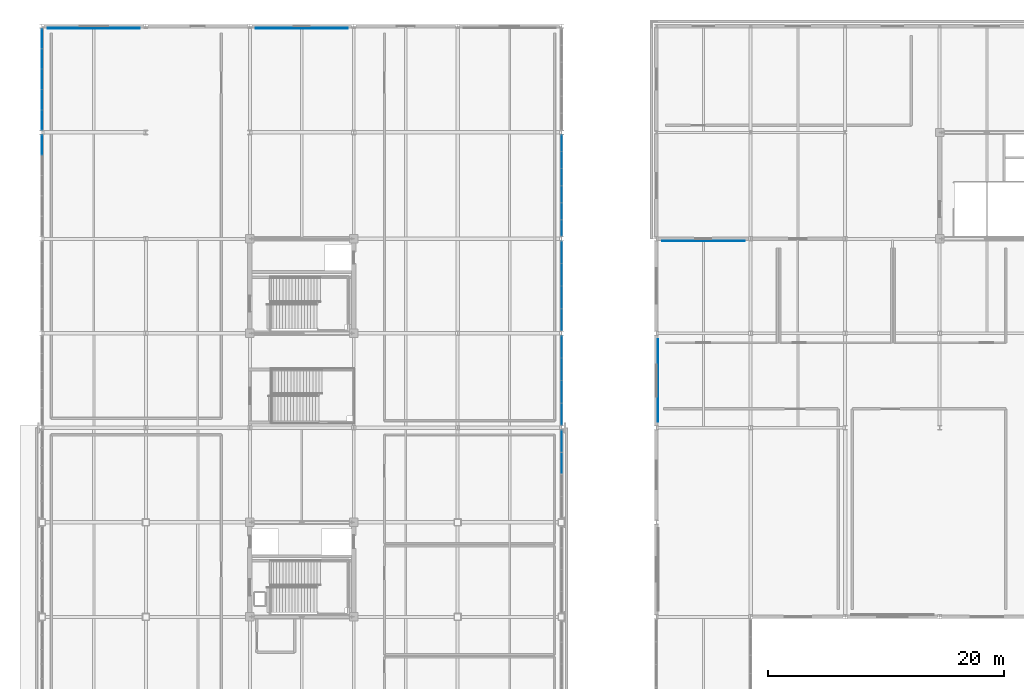
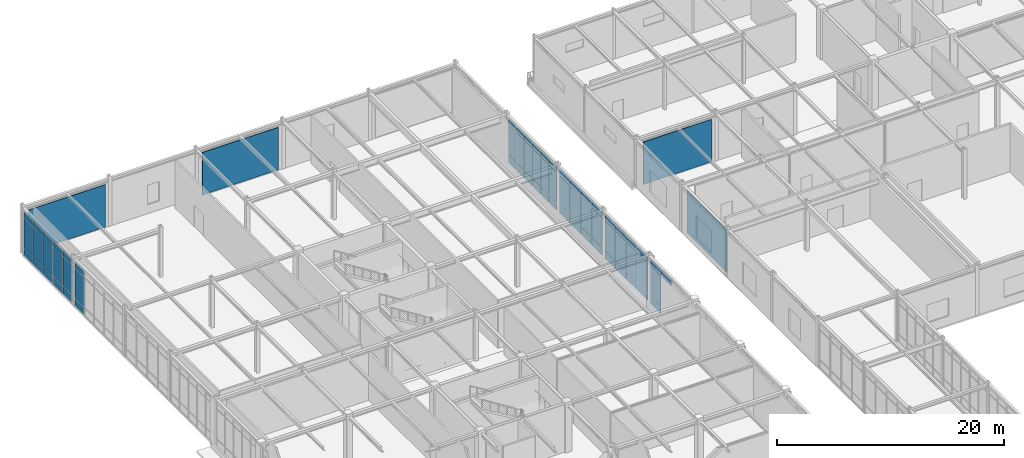
# One storey, part 65 of 108: 68 plates, 6 elements without a shape of their own.
"""IFC4 building model written with IfcOpenShell, lengths in metres."""

import ifcopenshell
import ifcopenshell.guid

model = None  # the IFC model being written
_history = None  # IfcOwnerHistory: only IFC2X3 demands one
_inside = {}  # id of a spatial element -> (the spatial element, [elements in it])
_under = {}  # id of a project, library or spatial element -> (it, [spatial elements below it])
_declared = {}  # id of a project -> (the project, [libraries it declares])
_typed = {}  # id of a type object -> (the type object, [elements of that type])
_made_of = {}  # id of a material, layer set ... -> (it, [elements and type objects made of it])


def new_model(schema):
    """Start an empty IFC model of exactly this schema.

    Asked for "IFC4X3", IfcOpenShell would pick the latest addendum, in which some entities
    have other attributes; the version numbers below select the first issue.
    IFC2X3 requires an IfcOwnerHistory on every rooted entity: one is made here for all.
    """
    global model, _history
    if schema == "IFC4X3":
        model = ifcopenshell.file(schema_version=(4, 3, 0, 0))
    else:
        model = ifcopenshell.file(schema=schema)
    _inside.clear()
    _under.clear()
    _declared.clear()
    _typed.clear()
    _made_of.clear()
    _history = None
    if model.schema == "IFC2X3":
        org = make("IfcOrganization", Name="unknown")
        user = make(
            "IfcPersonAndOrganization",
            ThePerson=make("IfcPerson", FamilyName="unknown"),
            TheOrganization=org,
        )
        app = make(
            "IfcApplication",
            ApplicationDeveloper=org,
            Version="unknown",
            ApplicationFullName="unknown",
            ApplicationIdentifier="unknown",
        )
        _history = make(
            "IfcOwnerHistory",
            OwningUser=user,
            OwningApplication=app,
            ChangeAction="ADDED",
            CreationDate=0,
        )
    return model


def make(cls, **values):
    """One entity of the class cls with the attributes given. An attribute that is None is left unset."""
    return model.create_entity(
        cls, **{name: value for name, value in values.items() if value is not None}
    )


def rooted(cls, **values):
    """An entity with a GlobalId (a new one), such as an element, a storey or a relation."""
    return make(cls, GlobalId=ifcopenshell.guid.new(), OwnerHistory=_history, **values)


def si_unit(unit_type, name, prefix=None):
    """IfcSIUnit, for example si_unit("LENGTHUNIT", "METRE", prefix="MILLI")."""
    return make("IfcSIUnit", UnitType=unit_type, Prefix=prefix, Name=name)


def assignment(units):
    """IfcUnitAssignment: the units of a project."""
    return None if units is None else make("IfcUnitAssignment", Units=units)


def point(xyz):
    """IfcCartesianPoint."""
    return None if xyz is None else make("IfcCartesianPoint", Coordinates=xyz)


def direction(xyz):
    """IfcDirection."""
    return None if xyz is None else make("IfcDirection", DirectionRatios=xyz)


def frame(location, z_axis=None, x_axis=None):
    """IfcAxis2Placement3D, a coordinate frame: its origin and axes. An axis left out is left unset."""
    return make(
        "IfcAxis2Placement3D",
        Location=point(location),
        Axis=direction(z_axis),
        RefDirection=direction(x_axis),
    )


def frame_2d(location, x_axis=None):
    """IfcAxis2Placement2D, a coordinate frame in the plane: its origin and x axis."""
    return make(
        "IfcAxis2Placement2D", Location=point(location), RefDirection=direction(x_axis)
    )


def origin():
    """The frame at (0, 0, 0) with its axes left unset."""
    return frame((0.0, 0.0, 0.0))


def origin_2d():
    """The frame at (0, 0) in the plane with its x axis left unset."""
    return frame_2d((0.0, 0.0))


def place(relative_to, where):
    """IfcLocalPlacement: puts the frame where relative to a parent placement (None: the world)."""
    return make(
        "IfcLocalPlacement", PlacementRelTo=relative_to, RelativePlacement=where
    )


def context(
    kind, dimensions, precision=None, world=None, true_north=None, identifier=None
):
    """IfcGeometricRepresentationContext, for example the 3D "Model" context."""
    return make(
        "IfcGeometricRepresentationContext",
        ContextIdentifier=identifier,
        ContextType=kind,
        CoordinateSpaceDimension=dimensions,
        Precision=precision,
        WorldCoordinateSystem=world,
        TrueNorth=true_north,
    )


def subcontext(parent, identifier, kind, view, scale=None):
    """IfcGeometricRepresentationSubContext, for example "Body" below "Model"."""
    return make(
        "IfcGeometricRepresentationSubContext",
        ContextIdentifier=identifier,
        ContextType=kind,
        ParentContext=parent,
        TargetScale=scale,
        TargetView=view,
    )


def project(units=None, contexts=None):
    """IfcProject with its units and contexts."""
    return rooted(
        "IfcProject",
        Name="project",
        RepresentationContexts=contexts,
        UnitsInContext=assignment(units),
    )


def spatial(cls, under=None, at=None, **own):
    """A site, building, storey or space (cls), placed at a placement, below another one or the project."""
    s = rooted(cls, ObjectPlacement=at, **own)
    if under is not None:
        _under.setdefault(under.id(), (under, []))[1].append(s)
    return s


def profile(cls, at=None, kind="AREA", **sizes):
    """A parametric profile (cls). Its sizes go by their IFC names, for example OverallWidth=200.0."""
    return make(cls, ProfileType=kind, Position=at, **sizes)


def rectangle(**sizes):
    """IfcRectangleProfileDef."""
    return profile("IfcRectangleProfileDef", **sizes)


def extrude(swept, where, along, depth):
    """IfcExtrudedAreaSolid: the profile swept, set in the frame where, extruded along a direction by depth."""
    return make(
        "IfcExtrudedAreaSolid",
        SweptArea=swept,
        Position=where,
        ExtrudedDirection=direction(along),
        Depth=depth,
    )


def shape(context_of_items, identifier, shape_type, items):
    """IfcShapeRepresentation: the items that make up one representation, for example the "Body"."""
    return make(
        "IfcShapeRepresentation",
        ContextOfItems=context_of_items,
        RepresentationIdentifier=identifier,
        RepresentationType=shape_type,
        Items=items,
    )


def material(Name=None, Category=None):
    """IfcMaterial."""
    return make("IfcMaterial", Name=Name, Category=Category)


def layer(
    of_material, thickness, ventilated=None, Name=None, Category=None, Priority=None
):
    """IfcMaterialLayer: one layer of a wall or slab, of a material (None: an air gap)."""
    return make(
        "IfcMaterialLayer",
        Material=of_material,
        LayerThickness=thickness,
        IsVentilated=ventilated,
        Name=Name,
        Category=Category,
        Priority=Priority,
    )


def layer_set(layers, Name=None):
    """IfcMaterialLayerSet."""
    return make("IfcMaterialLayerSet", MaterialLayers=layers, LayerSetName=Name)


def made_of(thing, what):
    """Note that an element or type object is made of a material, layer set ...; save() writes the relation."""
    if what is not None:
        _made_of.setdefault(what.id(), (what, []))[1].append(thing)
    return thing


def type_object(cls, material=None, **own):
    """A type object (cls), such as IfcWallType, which elements share."""
    return made_of(rooted(cls, **own), material)


def element(
    cls,
    number,
    at=None,
    inside=None,
    cuts=None,
    type_object=None,
    material=None,
    context=None,
    identifier="Body",
    shape_type=None,
    held_by="IfcProductDefinitionShape",
    body=None,
    shapes=None,
    **own,
):
    """One element of the class cls, such as IfcWall. Its Tag is "e" and its number.

    at: its placement. inside: the storey or other place that contains it. cuts: it is an
    opening in that element (IfcRelVoidsElement). A single representation is given by context,
    identifier, shape_type and body (its items); several are given by shapes. held_by: the class
    of the entity that holds the representations. save() writes the other relations.
    """
    e = rooted(cls, Tag="e%d" % number, ObjectPlacement=at, **own)
    if body is not None:
        shapes = [shape(context, identifier, shape_type, body)]
    if shapes is not None:
        e.Representation = make(held_by, Representations=shapes)
    if inside is not None:
        _inside.setdefault(inside.id(), (inside, []))[1].append(e)
    if cuts is not None:
        rooted(
            "IfcRelVoidsElement", RelatingBuildingElement=cuts, RelatedOpeningElement=e
        )
    if type_object is not None:
        _typed.setdefault(type_object.id(), (type_object, []))[1].append(e)
    return made_of(e, material)


def aggregate(whole, parts):
    """IfcRelAggregates: a whole, such as a stair, and the parts it consists of."""
    return rooted("IfcRelAggregates", RelatingObject=whole, RelatedObjects=parts)


def save(model, path):
    """Write the relations noted so far, then the file.

    IfcRelAggregates (storeys below a building ...), IfcRelContainedInSpatialStructure (elements
    in a storey), IfcRelDefinesByType, IfcRelAssociatesMaterial and IfcRelDeclares: one each for
    every whole, place, type object, material and project.
    """
    for whole, parts in _under.values():
        aggregate(whole, parts)
    for where, things in _inside.values():
        rooted(
            "IfcRelContainedInSpatialStructure",
            RelatedElements=things,
            RelatingStructure=where,
        )
    for kind, things in _typed.values():
        rooted("IfcRelDefinesByType", RelatedObjects=things, RelatingType=kind)
    for what, things in _made_of.values():
        rooted("IfcRelAssociatesMaterial", RelatedObjects=things, RelatingMaterial=what)
    for by, libraries in _declared.values():
        rooted("IfcRelDeclares", RelatingContext=by, RelatedDefinitions=libraries)
    model.write(path)


model = new_model("IFC4")

# Units and contexts
model_context = context("Model", 3, precision=1e-05, world=origin(), true_north=direction((0.0, 1.0)))
body_context = subcontext(model_context, "Body", "Model", "MODEL_VIEW")
ifc_project = project(units=[si_unit("LENGTHUNIT", "METRE"), si_unit("AREAUNIT", "SQUARE_METRE"), si_unit("VOLUMEUNIT", "CUBIC_METRE"), si_unit("PLANEANGLEUNIT", "RADIAN"), si_unit("MASSUNIT", "GRAM", prefix="KILO")], contexts=[model_context])

# Site, building, storey
site_placement = place(None, origin())
site = spatial("IfcSite", under=ifc_project, at=site_placement, CompositionType="ELEMENT")
building_placement = place(site_placement, origin())
building = spatial("IfcBuilding", under=site, at=building_placement, Name="Zhaolan Boulevard Law Courts", CompositionType="ELEMENT")
storey_placement = place(building_placement, frame((0.0, 0.0, 10.800048828125)))
storey = spatial("IfcBuildingStorey", under=building, at=storey_placement, Name="L02", CompositionType="ELEMENT", Elevation=10.800048828125)

# Curtain wall, plates
ifc_material_1 = material(Name="Thermally broken aluminium and low-E glazing", Category="aluminium")
curtain_wall_type_1 = type_object("IfcCurtainWallType", Name="CURTAIN WALL M21", PredefinedType="USERDEFINED", material=ifc_material_1)
curtain_wall_1_placement = place(storey_placement, origin())
curtain_wall_1 = element("IfcCurtainWall", 1, at=curtain_wall_1_placement, inside=storey, type_object=curtain_wall_type_1, Name="Curtain Wall CW-L02-117", ObjectType="CURTAIN WALL", PredefinedType="USERDEFINED")
ifc_material_2 = material(Name="Triple-silver low-E insulated glazing", Category="glass")
ifc_layer_1 = layer(ifc_material_2, 0.028076171875)
ifc_layer_set_1 = layer_set([ifc_layer_1])
plate_type_1 = type_object("IfcPlateType", Name="CWPANEL LOW E28", PredefinedType="CURTAIN_PANEL", material=ifc_layer_set_1)
plate_1_placement = place(storey_placement, frame((0.0, 101.942138671875, 0.06494140625), z_axis=(0.0, 0.0, 1.0), x_axis=(0.0, -1.0, 0.0)))
plate_1 = element("IfcPlate", 2, at=plate_1_placement, type_object=plate_type_1, Name="CW-L02-117 panel 1.1", PredefinedType="CURTAIN_PANEL", context=body_context, shape_type="SweptSolid", body=[
    extrude(rectangle(XDim=1.631591796875, YDim=0.028076171875, at=origin_2d()), origin(), (0.0, 0.0, 1.0), 0.802490234375),
])
plate_2_placement = place(storey_placement, frame((0.0, 101.942138671875, 0.932373046875), z_axis=(0.0, 0.0, 1.0), x_axis=(0.0, -1.0, 0.0)))
plate_2 = element("IfcPlate", 3, at=plate_2_placement, type_object=plate_type_1, Name="CW-L02-117 panel 1.2", PredefinedType="CURTAIN_PANEL", context=body_context, shape_type="SweptSolid", body=[
    extrude(rectangle(XDim=1.631591796875, YDim=0.028076171875, at=origin_2d()), origin(), (0.0, 0.0, 1.0), 3.14794921875),
])
plate_3_placement = place(storey_placement, frame((0.0, 101.942138671875, 4.1455078125), z_axis=(0.0, 0.0, 1.0), x_axis=(0.0, -1.0, 0.0)))
plate_3 = element("IfcPlate", 4, at=plate_3_placement, type_object=plate_type_1, Name="CW-L02-117 panel 1.3", PredefinedType="CURTAIN_PANEL", context=body_context, shape_type="SweptSolid", body=[
    extrude(rectangle(XDim=1.631591796875, YDim=0.028076171875, at=origin_2d()), origin(), (0.0, 0.0, 1.0), 0.552490234375),
])
aggregate(curtain_wall_1, [plate_1, plate_2, plate_3])

ifc_material_3 = material(Name="Thermally broken aluminium and low-E glazing", Category="aluminium")
curtain_wall_type_2 = type_object("IfcCurtainWallType", Name="CURTAIN WALL M22", PredefinedType="USERDEFINED", material=ifc_material_3)
curtain_wall_2_placement = place(storey_placement, origin())
curtain_wall_2 = element("IfcCurtainWall", 5, at=curtain_wall_2_placement, inside=storey, type_object=curtain_wall_type_2, Name="Curtain Wall CW-L02-118", ObjectType="CURTAIN WALL", PredefinedType="USERDEFINED")
plate_4_placement = place(storey_placement, frame((0.0, 110.942138671875, 0.06494140625), z_axis=(0.0, 0.0, 1.0), x_axis=(0.0, -1.0, 0.0)))
plate_4 = element("IfcPlate", 6, at=plate_4_placement, type_object=plate_type_1, Name="CW-L02-118 panel 1.1", PredefinedType="CURTAIN_PANEL", context=body_context, shape_type="SweptSolid", body=[
    extrude(rectangle(XDim=1.631591796875, YDim=0.028076171875, at=origin_2d()), origin(), (0.0, 0.0, 1.0), 0.802490234375),
])
plate_5_placement = place(storey_placement, frame((0.0, 110.942138671875, 0.932373046875), z_axis=(0.0, 0.0, 1.0), x_axis=(0.0, -1.0, 0.0)))
plate_5 = element("IfcPlate", 7, at=plate_5_placement, type_object=plate_type_1, Name="CW-L02-118 panel 1.2", PredefinedType="CURTAIN_PANEL", context=body_context, shape_type="SweptSolid", body=[
    extrude(rectangle(XDim=1.631591796875, YDim=0.028076171875, at=origin_2d()), origin(), (0.0, 0.0, 1.0), 3.14794921875),
])
plate_6_placement = place(storey_placement, frame((0.0, 110.942138671875, 4.1455078125), z_axis=(0.0, 0.0, 1.0), x_axis=(0.0, -1.0, 0.0)))
plate_6 = element("IfcPlate", 8, at=plate_6_placement, type_object=plate_type_1, Name="CW-L02-118 panel 1.3", PredefinedType="CURTAIN_PANEL", context=body_context, shape_type="SweptSolid", body=[
    extrude(rectangle(XDim=1.631591796875, YDim=0.028076171875, at=origin_2d()), origin(), (0.0, 0.0, 1.0), 0.552490234375),
])
plate_7_placement = place(storey_placement, frame((0.0, 109.229248046875, 0.06494140625), z_axis=(0.0, 0.0, 1.0), x_axis=(0.0, -1.0, 0.0)))
plate_7 = element("IfcPlate", 9, at=plate_7_placement, type_object=plate_type_1, Name="CW-L02-118 panel 2.1", PredefinedType="CURTAIN_PANEL", context=body_context, shape_type="SweptSolid", body=[
    extrude(rectangle(XDim=1.664306640625, YDim=0.028076171875, at=origin_2d()), origin(), (0.0, 0.0, 1.0), 0.802490234375),
])
plate_8_placement = place(storey_placement, frame((0.0, 109.229248046875, 0.932373046875), z_axis=(0.0, 0.0, 1.0), x_axis=(0.0, -1.0, 0.0)))
plate_8 = element("IfcPlate", 10, at=plate_8_placement, type_object=plate_type_1, Name="CW-L02-118 panel 2.2", PredefinedType="CURTAIN_PANEL", context=body_context, shape_type="SweptSolid", body=[
    extrude(rectangle(XDim=1.664306640625, YDim=0.028076171875, at=origin_2d()), origin(), (0.0, 0.0, 1.0), 3.14794921875),
])
plate_9_placement = place(storey_placement, frame((0.0, 109.229248046875, 4.1455078125), z_axis=(0.0, 0.0, 1.0), x_axis=(0.0, -1.0, 0.0)))
plate_9 = element("IfcPlate", 11, at=plate_9_placement, type_object=plate_type_1, Name="CW-L02-118 panel 2.3", PredefinedType="CURTAIN_PANEL", context=body_context, shape_type="SweptSolid", body=[
    extrude(rectangle(XDim=1.664306640625, YDim=0.028076171875, at=origin_2d()), origin(), (0.0, 0.0, 1.0), 0.552490234375),
])
plate_10_placement = place(storey_placement, frame((0.0, 107.5, 0.06494140625), z_axis=(0.0, 0.0, 1.0), x_axis=(0.0, -1.0, 0.0)))
plate_10 = element("IfcPlate", 12, at=plate_10_placement, type_object=plate_type_1, Name="CW-L02-118 panel 3.1", PredefinedType="CURTAIN_PANEL", context=body_context, shape_type="SweptSolid", body=[
    extrude(rectangle(XDim=1.664306640625, YDim=0.028076171875, at=origin_2d()), origin(), (0.0, 0.0, 1.0), 0.802490234375),
])
plate_11_placement = place(storey_placement, frame((0.0, 107.5, 0.932373046875), z_axis=(0.0, 0.0, 1.0), x_axis=(0.0, -1.0, 0.0)))
plate_11 = element("IfcPlate", 13, at=plate_11_placement, type_object=plate_type_1, Name="CW-L02-118 panel 3.2", PredefinedType="CURTAIN_PANEL", context=body_context, shape_type="SweptSolid", body=[
    extrude(rectangle(XDim=1.664306640625, YDim=0.028076171875, at=origin_2d()), origin(), (0.0, 0.0, 1.0), 3.14794921875),
])
plate_12_placement = place(storey_placement, frame((0.0, 107.5, 4.1455078125), z_axis=(0.0, 0.0, 1.0), x_axis=(0.0, -1.0, 0.0)))
plate_12 = element("IfcPlate", 14, at=plate_12_placement, type_object=plate_type_1, Name="CW-L02-118 panel 3.3", PredefinedType="CURTAIN_PANEL", context=body_context, shape_type="SweptSolid", body=[
    extrude(rectangle(XDim=1.664306640625, YDim=0.028076171875, at=origin_2d()), origin(), (0.0, 0.0, 1.0), 0.552490234375),
])
plate_13_placement = place(storey_placement, frame((0.0, 105.770751953125, 0.06494140625), z_axis=(0.0, 0.0, 1.0), x_axis=(0.0, -1.0, 0.0)))
plate_13 = element("IfcPlate", 15, at=plate_13_placement, type_object=plate_type_1, Name="CW-L02-118 panel 4.1", PredefinedType="CURTAIN_PANEL", context=body_context, shape_type="SweptSolid", body=[
    extrude(rectangle(XDim=1.664306640625, YDim=0.028076171875, at=origin_2d()), origin(), (0.0, 0.0, 1.0), 0.802490234375),
])
plate_14_placement = place(storey_placement, frame((0.0, 105.770751953125, 0.932373046875), z_axis=(0.0, 0.0, 1.0), x_axis=(0.0, -1.0, 0.0)))
plate_14 = element("IfcPlate", 16, at=plate_14_placement, type_object=plate_type_1, Name="CW-L02-118 panel 4.2", PredefinedType="CURTAIN_PANEL", context=body_context, shape_type="SweptSolid", body=[
    extrude(rectangle(XDim=1.664306640625, YDim=0.028076171875, at=origin_2d()), origin(), (0.0, 0.0, 1.0), 3.14794921875),
])
plate_15_placement = place(storey_placement, frame((0.0, 105.770751953125, 4.1455078125), z_axis=(0.0, 0.0, 1.0), x_axis=(0.0, -1.0, 0.0)))
plate_15 = element("IfcPlate", 17, at=plate_15_placement, type_object=plate_type_1, Name="CW-L02-118 panel 4.3", PredefinedType="CURTAIN_PANEL", context=body_context, shape_type="SweptSolid", body=[
    extrude(rectangle(XDim=1.664306640625, YDim=0.028076171875, at=origin_2d()), origin(), (0.0, 0.0, 1.0), 0.552490234375),
])
plate_16_placement = place(storey_placement, frame((0.0, 104.057861328125, 0.06494140625), z_axis=(0.0, 0.0, 1.0), x_axis=(0.0, -1.0, 0.0)))
plate_16 = element("IfcPlate", 18, at=plate_16_placement, type_object=plate_type_1, Name="CW-L02-118 panel 5.1", PredefinedType="CURTAIN_PANEL", context=body_context, shape_type="SweptSolid", body=[
    extrude(rectangle(XDim=1.631591796875, YDim=0.028076171875, at=origin_2d()), origin(), (0.0, 0.0, 1.0), 0.802490234375),
])
plate_17_placement = place(storey_placement, frame((0.0, 104.057861328125, 0.932373046875), z_axis=(0.0, 0.0, 1.0), x_axis=(0.0, -1.0, 0.0)))
plate_17 = element("IfcPlate", 19, at=plate_17_placement, type_object=plate_type_1, Name="CW-L02-118 panel 5.2", PredefinedType="CURTAIN_PANEL", context=body_context, shape_type="SweptSolid", body=[
    extrude(rectangle(XDim=1.631591796875, YDim=0.028076171875, at=origin_2d()), origin(), (0.0, 0.0, 1.0), 3.14794921875),
])
plate_18_placement = place(storey_placement, frame((0.0, 104.057861328125, 4.1455078125), z_axis=(0.0, 0.0, 1.0), x_axis=(0.0, -1.0, 0.0)))
plate_18 = element("IfcPlate", 20, at=plate_18_placement, type_object=plate_type_1, Name="CW-L02-118 panel 5.3", PredefinedType="CURTAIN_PANEL", context=body_context, shape_type="SweptSolid", body=[
    extrude(rectangle(XDim=1.631591796875, YDim=0.028076171875, at=origin_2d()), origin(), (0.0, 0.0, 1.0), 0.552490234375),
])
aggregate(curtain_wall_2, [plate_4, plate_5, plate_6, plate_7, plate_8, plate_9, plate_10, plate_11, plate_12, plate_13, plate_14, plate_15, plate_16, plate_17, plate_18])

ifc_material_4 = material(Name="Thermally broken aluminium and low-E glazing", Category="aluminium")
curtain_wall_type_3 = type_object("IfcCurtainWallType", Name="CURTAIN WALL M23", PredefinedType="USERDEFINED", material=ifc_material_4)
curtain_wall_3_placement = place(storey_placement, origin())
curtain_wall_3 = element("IfcCurtainWall", 21, at=curtain_wall_3_placement, inside=storey, type_object=curtain_wall_type_3, Name="Curtain Wall CW-L02-119", ObjectType="CURTAIN WALL", PredefinedType="USERDEFINED")
plate_19_placement = place(storey_placement, frame((44.0, 79.14892578125, 0.06494140625), z_axis=(0.0, 0.0, 1.0), x_axis=(0.0, 1.0, 0.0)))
plate_19 = element("IfcPlate", 22, at=plate_19_placement, type_object=plate_type_1, Name="CW-L02-119 panel 1.1", PredefinedType="CURTAIN_PANEL", context=body_context, shape_type="SweptSolid", body=[
    extrude(rectangle(XDim=1.81396484375, YDim=0.028076171875, at=origin_2d()), origin(), (0.0, 0.0, 1.0), 0.802490234375),
])
plate_20_placement = place(storey_placement, frame((44.0, 79.14892578125, 0.932373046875), z_axis=(0.0, 0.0, 1.0), x_axis=(0.0, 1.0, 0.0)))
plate_20 = element("IfcPlate", 23, at=plate_20_placement, type_object=plate_type_1, Name="CW-L02-119 panel 1.2", PredefinedType="CURTAIN_PANEL", context=body_context, shape_type="SweptSolid", body=[
    extrude(rectangle(XDim=1.81396484375, YDim=0.028076171875, at=origin_2d()), origin(), (0.0, 0.0, 1.0), 3.14794921875),
])
plate_21_placement = place(storey_placement, frame((44.0, 79.14892578125, 4.1455078125), z_axis=(0.0, 0.0, 1.0), x_axis=(0.0, 1.0, 0.0)))
plate_21 = element("IfcPlate", 24, at=plate_21_placement, type_object=plate_type_1, Name="CW-L02-119 panel 1.3", PredefinedType="CURTAIN_PANEL", context=body_context, shape_type="SweptSolid", body=[
    extrude(rectangle(XDim=1.81396484375, YDim=0.028076171875, at=origin_2d()), origin(), (0.0, 0.0, 1.0), 0.552490234375),
])
plate_22_placement = place(storey_placement, frame((44.0, 81.044189453125, 0.06494140625), z_axis=(0.0, 0.0, 1.0), x_axis=(0.0, 1.0, 0.0)))
plate_22 = element("IfcPlate", 25, at=plate_22_placement, type_object=plate_type_1, Name="CW-L02-119 panel 2.1", PredefinedType="CURTAIN_PANEL", context=body_context, shape_type="SweptSolid", body=[
    extrude(rectangle(XDim=1.846435546875, YDim=0.028076171875, at=origin_2d()), origin(), (0.0, 0.0, 1.0), 0.802490234375),
])
plate_23_placement = place(storey_placement, frame((44.0, 81.044189453125, 0.932373046875), z_axis=(0.0, 0.0, 1.0), x_axis=(0.0, 1.0, 0.0)))
plate_23 = element("IfcPlate", 26, at=plate_23_placement, type_object=plate_type_1, Name="CW-L02-119 panel 2.2", PredefinedType="CURTAIN_PANEL", context=body_context, shape_type="SweptSolid", body=[
    extrude(rectangle(XDim=1.846435546875, YDim=0.028076171875, at=origin_2d()), origin(), (0.0, 0.0, 1.0), 3.14794921875),
])
plate_24_placement = place(storey_placement, frame((44.0, 81.044189453125, 4.1455078125), z_axis=(0.0, 0.0, 1.0), x_axis=(0.0, 1.0, 0.0)))
plate_24 = element("IfcPlate", 27, at=plate_24_placement, type_object=plate_type_1, Name="CW-L02-119 panel 2.3", PredefinedType="CURTAIN_PANEL", context=body_context, shape_type="SweptSolid", body=[
    extrude(rectangle(XDim=1.846435546875, YDim=0.028076171875, at=origin_2d()), origin(), (0.0, 0.0, 1.0), 0.552490234375),
])
plate_25_placement = place(storey_placement, frame((44.0, 82.955810546875, 0.06494140625), z_axis=(0.0, 0.0, 1.0), x_axis=(0.0, 1.0, 0.0)))
plate_25 = element("IfcPlate", 28, at=plate_25_placement, type_object=plate_type_1, Name="CW-L02-119 panel 3.1", PredefinedType="CURTAIN_PANEL", context=body_context, shape_type="SweptSolid", body=[
    extrude(rectangle(XDim=1.846435546875, YDim=0.028076171875, at=origin_2d()), origin(), (0.0, 0.0, 1.0), 0.802490234375),
])
plate_26_placement = place(storey_placement, frame((44.0, 82.955810546875, 0.932373046875), z_axis=(0.0, 0.0, 1.0), x_axis=(0.0, 1.0, 0.0)))
plate_26 = element("IfcPlate", 29, at=plate_26_placement, type_object=plate_type_1, Name="CW-L02-119 panel 3.2", PredefinedType="CURTAIN_PANEL", context=body_context, shape_type="SweptSolid", body=[
    extrude(rectangle(XDim=1.846435546875, YDim=0.028076171875, at=origin_2d()), origin(), (0.0, 0.0, 1.0), 3.14794921875),
])
plate_27_placement = place(storey_placement, frame((44.0, 82.955810546875, 4.1455078125), z_axis=(0.0, 0.0, 1.0), x_axis=(0.0, 1.0, 0.0)))
plate_27 = element("IfcPlate", 30, at=plate_27_placement, type_object=plate_type_1, Name="CW-L02-119 panel 3.3", PredefinedType="CURTAIN_PANEL", context=body_context, shape_type="SweptSolid", body=[
    extrude(rectangle(XDim=1.846435546875, YDim=0.028076171875, at=origin_2d()), origin(), (0.0, 0.0, 1.0), 0.552490234375),
])
plate_28_placement = place(storey_placement, frame((44.0, 84.85107421875, 0.06494140625), z_axis=(0.0, 0.0, 1.0), x_axis=(0.0, 1.0, 0.0)))
plate_28 = element("IfcPlate", 31, at=plate_28_placement, type_object=plate_type_1, Name="CW-L02-119 panel 4.1", PredefinedType="CURTAIN_PANEL", context=body_context, shape_type="SweptSolid", body=[
    extrude(rectangle(XDim=1.81396484375, YDim=0.028076171875, at=origin_2d()), origin(), (0.0, 0.0, 1.0), 0.802490234375),
])
plate_29_placement = place(storey_placement, frame((44.0, 84.85107421875, 0.932373046875), z_axis=(0.0, 0.0, 1.0), x_axis=(0.0, 1.0, 0.0)))
plate_29 = element("IfcPlate", 32, at=plate_29_placement, type_object=plate_type_1, Name="CW-L02-119 panel 4.2", PredefinedType="CURTAIN_PANEL", context=body_context, shape_type="SweptSolid", body=[
    extrude(rectangle(XDim=1.81396484375, YDim=0.028076171875, at=origin_2d()), origin(), (0.0, 0.0, 1.0), 3.14794921875),
])
plate_30_placement = place(storey_placement, frame((44.0, 84.85107421875, 4.1455078125), z_axis=(0.0, 0.0, 1.0), x_axis=(0.0, 1.0, 0.0)))
plate_30 = element("IfcPlate", 33, at=plate_30_placement, type_object=plate_type_1, Name="CW-L02-119 panel 4.3", PredefinedType="CURTAIN_PANEL", context=body_context, shape_type="SweptSolid", body=[
    extrude(rectangle(XDim=1.81396484375, YDim=0.028076171875, at=origin_2d()), origin(), (0.0, 0.0, 1.0), 0.552490234375),
])
aggregate(curtain_wall_3, [plate_19, plate_20, plate_21, plate_22, plate_23, plate_24, plate_25, plate_26, plate_27, plate_28, plate_29, plate_30])

ifc_material_5 = material(Name="Thermally broken aluminium and low-E glazing", Category="aluminium")
curtain_wall_type_4 = type_object("IfcCurtainWallType", Name="CURTAIN WALL M24", PredefinedType="USERDEFINED", material=ifc_material_5)
curtain_wall_4_placement = place(storey_placement, origin())
curtain_wall_4 = element("IfcCurtainWall", 34, at=curtain_wall_4_placement, inside=storey, type_object=curtain_wall_type_4, Name="Curtain Wall CW-L02-120", ObjectType="CURTAIN WALL", PredefinedType="USERDEFINED")
plate_31_placement = place(storey_placement, frame((44.0, 87.14892578125, 0.06494140625), z_axis=(0.0, 0.0, 1.0), x_axis=(0.0, 1.0, 0.0)))
plate_31 = element("IfcPlate", 35, at=plate_31_placement, type_object=plate_type_1, Name="CW-L02-120 panel 1.1", PredefinedType="CURTAIN_PANEL", context=body_context, shape_type="SweptSolid", body=[
    extrude(rectangle(XDim=1.81396484375, YDim=0.028076171875, at=origin_2d()), origin(), (0.0, 0.0, 1.0), 0.802490234375),
])
plate_32_placement = place(storey_placement, frame((44.0, 87.14892578125, 0.932373046875), z_axis=(0.0, 0.0, 1.0), x_axis=(0.0, 1.0, 0.0)))
plate_32 = element("IfcPlate", 36, at=plate_32_placement, type_object=plate_type_1, Name="CW-L02-120 panel 1.2", PredefinedType="CURTAIN_PANEL", context=body_context, shape_type="SweptSolid", body=[
    extrude(rectangle(XDim=1.81396484375, YDim=0.028076171875, at=origin_2d()), origin(), (0.0, 0.0, 1.0), 3.14794921875),
])
plate_33_placement = place(storey_placement, frame((44.0, 87.14892578125, 4.1455078125), z_axis=(0.0, 0.0, 1.0), x_axis=(0.0, 1.0, 0.0)))
plate_33 = element("IfcPlate", 37, at=plate_33_placement, type_object=plate_type_1, Name="CW-L02-120 panel 1.3", PredefinedType="CURTAIN_PANEL", context=body_context, shape_type="SweptSolid", body=[
    extrude(rectangle(XDim=1.81396484375, YDim=0.028076171875, at=origin_2d()), origin(), (0.0, 0.0, 1.0), 0.552490234375),
])
plate_34_placement = place(storey_placement, frame((44.0, 89.044189453125, 0.06494140625), z_axis=(0.0, 0.0, 1.0), x_axis=(0.0, 1.0, 0.0)))
plate_34 = element("IfcPlate", 38, at=plate_34_placement, type_object=plate_type_1, Name="CW-L02-120 panel 2.1", PredefinedType="CURTAIN_PANEL", context=body_context, shape_type="SweptSolid", body=[
    extrude(rectangle(XDim=1.846435546875, YDim=0.028076171875, at=origin_2d()), origin(), (0.0, 0.0, 1.0), 0.802490234375),
])
plate_35_placement = place(storey_placement, frame((44.0, 89.044189453125, 0.932373046875), z_axis=(0.0, 0.0, 1.0), x_axis=(0.0, 1.0, 0.0)))
plate_35 = element("IfcPlate", 39, at=plate_35_placement, type_object=plate_type_1, Name="CW-L02-120 panel 2.2", PredefinedType="CURTAIN_PANEL", context=body_context, shape_type="SweptSolid", body=[
    extrude(rectangle(XDim=1.846435546875, YDim=0.028076171875, at=origin_2d()), origin(), (0.0, 0.0, 1.0), 3.14794921875),
])
plate_36_placement = place(storey_placement, frame((44.0, 89.044189453125, 4.1455078125), z_axis=(0.0, 0.0, 1.0), x_axis=(0.0, 1.0, 0.0)))
plate_36 = element("IfcPlate", 40, at=plate_36_placement, type_object=plate_type_1, Name="CW-L02-120 panel 2.3", PredefinedType="CURTAIN_PANEL", context=body_context, shape_type="SweptSolid", body=[
    extrude(rectangle(XDim=1.846435546875, YDim=0.028076171875, at=origin_2d()), origin(), (0.0, 0.0, 1.0), 0.552490234375),
])
plate_37_placement = place(storey_placement, frame((44.0, 90.955810546875, 0.06494140625), z_axis=(0.0, 0.0, 1.0), x_axis=(0.0, 1.0, 0.0)))
plate_37 = element("IfcPlate", 41, at=plate_37_placement, type_object=plate_type_1, Name="CW-L02-120 panel 3.1", PredefinedType="CURTAIN_PANEL", context=body_context, shape_type="SweptSolid", body=[
    extrude(rectangle(XDim=1.846435546875, YDim=0.028076171875, at=origin_2d()), origin(), (0.0, 0.0, 1.0), 0.802490234375),
])
plate_38_placement = place(storey_placement, frame((44.0, 90.955810546875, 0.932373046875), z_axis=(0.0, 0.0, 1.0), x_axis=(0.0, 1.0, 0.0)))
plate_38 = element("IfcPlate", 42, at=plate_38_placement, type_object=plate_type_1, Name="CW-L02-120 panel 3.2", PredefinedType="CURTAIN_PANEL", context=body_context, shape_type="SweptSolid", body=[
    extrude(rectangle(XDim=1.846435546875, YDim=0.028076171875, at=origin_2d()), origin(), (0.0, 0.0, 1.0), 3.14794921875),
])
plate_39_placement = place(storey_placement, frame((44.0, 90.955810546875, 4.1455078125), z_axis=(0.0, 0.0, 1.0), x_axis=(0.0, 1.0, 0.0)))
plate_39 = element("IfcPlate", 43, at=plate_39_placement, type_object=plate_type_1, Name="CW-L02-120 panel 3.3", PredefinedType="CURTAIN_PANEL", context=body_context, shape_type="SweptSolid", body=[
    extrude(rectangle(XDim=1.846435546875, YDim=0.028076171875, at=origin_2d()), origin(), (0.0, 0.0, 1.0), 0.552490234375),
])
plate_40_placement = place(storey_placement, frame((44.0, 92.85107421875, 0.06494140625), z_axis=(0.0, 0.0, 1.0), x_axis=(0.0, 1.0, 0.0)))
plate_40 = element("IfcPlate", 44, at=plate_40_placement, type_object=plate_type_1, Name="CW-L02-120 panel 4.1", PredefinedType="CURTAIN_PANEL", context=body_context, shape_type="SweptSolid", body=[
    extrude(rectangle(XDim=1.81396484375, YDim=0.028076171875, at=origin_2d()), origin(), (0.0, 0.0, 1.0), 0.802490234375),
])
plate_41_placement = place(storey_placement, frame((44.0, 92.85107421875, 0.932373046875), z_axis=(0.0, 0.0, 1.0), x_axis=(0.0, 1.0, 0.0)))
plate_41 = element("IfcPlate", 45, at=plate_41_placement, type_object=plate_type_1, Name="CW-L02-120 panel 4.2", PredefinedType="CURTAIN_PANEL", context=body_context, shape_type="SweptSolid", body=[
    extrude(rectangle(XDim=1.81396484375, YDim=0.028076171875, at=origin_2d()), origin(), (0.0, 0.0, 1.0), 3.14794921875),
])
plate_42_placement = place(storey_placement, frame((44.0, 92.85107421875, 4.1455078125), z_axis=(0.0, 0.0, 1.0), x_axis=(0.0, 1.0, 0.0)))
plate_42 = element("IfcPlate", 46, at=plate_42_placement, type_object=plate_type_1, Name="CW-L02-120 panel 4.3", PredefinedType="CURTAIN_PANEL", context=body_context, shape_type="SweptSolid", body=[
    extrude(rectangle(XDim=1.81396484375, YDim=0.028076171875, at=origin_2d()), origin(), (0.0, 0.0, 1.0), 0.552490234375),
])
aggregate(curtain_wall_4, [plate_31, plate_32, plate_33, plate_34, plate_35, plate_36, plate_37, plate_38, plate_39, plate_40, plate_41, plate_42])

ifc_material_6 = material(Name="Thermally broken aluminium and low-E glazing", Category="aluminium")
curtain_wall_type_5 = type_object("IfcCurtainWallType", Name="CURTAIN WALL M1", PredefinedType="USERDEFINED", material=ifc_material_6)
curtain_wall_5_placement = place(storey_placement, origin())
curtain_wall_5 = element("IfcCurtainWall", 47, at=curtain_wall_5_placement, inside=storey, type_object=curtain_wall_type_5, Name="Curtain Wall CW-L02-121", ObjectType="CURTAIN WALL", PredefinedType="USERDEFINED")
plate_43_placement = place(storey_placement, frame((44.0, 94.913818359375, 0.06494140625), z_axis=(0.0, 0.0, 1.0), x_axis=(0.0, 1.0, 0.0)))
plate_43 = element("IfcPlate", 48, at=plate_43_placement, type_object=plate_type_1, Name="CW-L02-121 panel 1.1", PredefinedType="CURTAIN_PANEL", context=body_context, shape_type="SweptSolid", body=[
    extrude(rectangle(XDim=1.343505859375, YDim=0.028076171875, at=origin_2d()), origin(), (0.0, 0.0, 1.0), 0.802490234375),
])
plate_44_placement = place(storey_placement, frame((44.0, 94.913818359375, 0.932373046875), z_axis=(0.0, 0.0, 1.0), x_axis=(0.0, 1.0, 0.0)))
plate_44 = element("IfcPlate", 49, at=plate_44_placement, type_object=plate_type_1, Name="CW-L02-121 panel 1.2", PredefinedType="CURTAIN_PANEL", context=body_context, shape_type="SweptSolid", body=[
    extrude(rectangle(XDim=1.343505859375, YDim=0.028076171875, at=origin_2d()), origin(), (0.0, 0.0, 1.0), 3.14794921875),
])
plate_45_placement = place(storey_placement, frame((44.0, 94.913818359375, 4.1455078125), z_axis=(0.0, 0.0, 1.0), x_axis=(0.0, 1.0, 0.0)))
plate_45 = element("IfcPlate", 50, at=plate_45_placement, type_object=plate_type_1, Name="CW-L02-121 panel 1.3", PredefinedType="CURTAIN_PANEL", context=body_context, shape_type="SweptSolid", body=[
    extrude(rectangle(XDim=1.343505859375, YDim=0.028076171875, at=origin_2d()), origin(), (0.0, 0.0, 1.0), 0.552490234375),
])
plate_46_placement = place(storey_placement, frame((44.0, 96.33837890625, 0.06494140625), z_axis=(0.0, 0.0, 1.0), x_axis=(0.0, 1.0, 0.0)))
plate_46 = element("IfcPlate", 51, at=plate_46_placement, type_object=plate_type_1, Name="CW-L02-121 panel 2.1", PredefinedType="CURTAIN_PANEL", context=body_context, shape_type="SweptSolid", body=[
    extrude(rectangle(XDim=1.3759765625, YDim=0.028076171875, at=origin_2d()), origin(), (0.0, 0.0, 1.0), 0.802490234375),
])
plate_47_placement = place(storey_placement, frame((44.0, 96.33837890625, 0.932373046875), z_axis=(0.0, 0.0, 1.0), x_axis=(0.0, 1.0, 0.0)))
plate_47 = element("IfcPlate", 52, at=plate_47_placement, type_object=plate_type_1, Name="CW-L02-121 panel 2.2", PredefinedType="CURTAIN_PANEL", context=body_context, shape_type="SweptSolid", body=[
    extrude(rectangle(XDim=1.3759765625, YDim=0.028076171875, at=origin_2d()), origin(), (0.0, 0.0, 1.0), 3.14794921875),
])
plate_48_placement = place(storey_placement, frame((44.0, 96.33837890625, 4.1455078125), z_axis=(0.0, 0.0, 1.0), x_axis=(0.0, 1.0, 0.0)))
plate_48 = element("IfcPlate", 53, at=plate_48_placement, type_object=plate_type_1, Name="CW-L02-121 panel 2.3", PredefinedType="CURTAIN_PANEL", context=body_context, shape_type="SweptSolid", body=[
    extrude(rectangle(XDim=1.3759765625, YDim=0.028076171875, at=origin_2d()), origin(), (0.0, 0.0, 1.0), 0.552490234375),
])
plate_49_placement = place(storey_placement, frame((44.0, 97.779541015625, 0.06494140625), z_axis=(0.0, 0.0, 1.0), x_axis=(0.0, 1.0, 0.0)))
plate_49 = element("IfcPlate", 54, at=plate_49_placement, type_object=plate_type_1, Name="CW-L02-121 panel 3.1", PredefinedType="CURTAIN_PANEL", context=body_context, shape_type="SweptSolid", body=[
    extrude(rectangle(XDim=1.3759765625, YDim=0.028076171875, at=origin_2d()), origin(), (0.0, 0.0, 1.0), 0.802490234375),
])
plate_50_placement = place(storey_placement, frame((44.0, 97.779541015625, 0.932373046875), z_axis=(0.0, 0.0, 1.0), x_axis=(0.0, 1.0, 0.0)))
plate_50 = element("IfcPlate", 55, at=plate_50_placement, type_object=plate_type_1, Name="CW-L02-121 panel 3.2", PredefinedType="CURTAIN_PANEL", context=body_context, shape_type="SweptSolid", body=[
    extrude(rectangle(XDim=1.3759765625, YDim=0.028076171875, at=origin_2d()), origin(), (0.0, 0.0, 1.0), 3.14794921875),
])
plate_51_placement = place(storey_placement, frame((44.0, 97.779541015625, 4.1455078125), z_axis=(0.0, 0.0, 1.0), x_axis=(0.0, 1.0, 0.0)))
plate_51 = element("IfcPlate", 56, at=plate_51_placement, type_object=plate_type_1, Name="CW-L02-121 panel 3.3", PredefinedType="CURTAIN_PANEL", context=body_context, shape_type="SweptSolid", body=[
    extrude(rectangle(XDim=1.3759765625, YDim=0.028076171875, at=origin_2d()), origin(), (0.0, 0.0, 1.0), 0.552490234375),
])
plate_52_placement = place(storey_placement, frame((44.0, 99.220458984375, 0.06494140625), z_axis=(0.0, 0.0, 1.0), x_axis=(0.0, 1.0, 0.0)))
plate_52 = element("IfcPlate", 57, at=plate_52_placement, type_object=plate_type_1, Name="CW-L02-121 panel 4.1", PredefinedType="CURTAIN_PANEL", context=body_context, shape_type="SweptSolid", body=[
    extrude(rectangle(XDim=1.3759765625, YDim=0.028076171875, at=origin_2d()), origin(), (0.0, 0.0, 1.0), 0.802490234375),
])
plate_53_placement = place(storey_placement, frame((44.0, 99.220458984375, 0.932373046875), z_axis=(0.0, 0.0, 1.0), x_axis=(0.0, 1.0, 0.0)))
plate_53 = element("IfcPlate", 58, at=plate_53_placement, type_object=plate_type_1, Name="CW-L02-121 panel 4.2", PredefinedType="CURTAIN_PANEL", context=body_context, shape_type="SweptSolid", body=[
    extrude(rectangle(XDim=1.3759765625, YDim=0.028076171875, at=origin_2d()), origin(), (0.0, 0.0, 1.0), 3.14794921875),
])
plate_54_placement = place(storey_placement, frame((44.0, 99.220458984375, 4.1455078125), z_axis=(0.0, 0.0, 1.0), x_axis=(0.0, 1.0, 0.0)))
plate_54 = element("IfcPlate", 59, at=plate_54_placement, type_object=plate_type_1, Name="CW-L02-121 panel 4.3", PredefinedType="CURTAIN_PANEL", context=body_context, shape_type="SweptSolid", body=[
    extrude(rectangle(XDim=1.3759765625, YDim=0.028076171875, at=origin_2d()), origin(), (0.0, 0.0, 1.0), 0.552490234375),
])
plate_55_placement = place(storey_placement, frame((44.0, 100.66162109375, 0.06494140625), z_axis=(0.0, 0.0, 1.0), x_axis=(0.0, 1.0, 0.0)))
plate_55 = element("IfcPlate", 60, at=plate_55_placement, type_object=plate_type_1, Name="CW-L02-121 panel 5.1", PredefinedType="CURTAIN_PANEL", context=body_context, shape_type="SweptSolid", body=[
    extrude(rectangle(XDim=1.3759765625, YDim=0.028076171875, at=origin_2d()), origin(), (0.0, 0.0, 1.0), 0.802490234375),
])
plate_56_placement = place(storey_placement, frame((44.0, 100.66162109375, 0.932373046875), z_axis=(0.0, 0.0, 1.0), x_axis=(0.0, 1.0, 0.0)))
plate_56 = element("IfcPlate", 61, at=plate_56_placement, type_object=plate_type_1, Name="CW-L02-121 panel 5.2", PredefinedType="CURTAIN_PANEL", context=body_context, shape_type="SweptSolid", body=[
    extrude(rectangle(XDim=1.3759765625, YDim=0.028076171875, at=origin_2d()), origin(), (0.0, 0.0, 1.0), 3.14794921875),
])
plate_57_placement = place(storey_placement, frame((44.0, 100.66162109375, 4.1455078125), z_axis=(0.0, 0.0, 1.0), x_axis=(0.0, 1.0, 0.0)))
plate_57 = element("IfcPlate", 62, at=plate_57_placement, type_object=plate_type_1, Name="CW-L02-121 panel 5.3", PredefinedType="CURTAIN_PANEL", context=body_context, shape_type="SweptSolid", body=[
    extrude(rectangle(XDim=1.3759765625, YDim=0.028076171875, at=origin_2d()), origin(), (0.0, 0.0, 1.0), 0.552490234375),
])
plate_58_placement = place(storey_placement, frame((44.0, 102.086181640625, 0.06494140625), z_axis=(0.0, 0.0, 1.0), x_axis=(0.0, 1.0, 0.0)))
plate_58 = element("IfcPlate", 63, at=plate_58_placement, type_object=plate_type_1, Name="CW-L02-121 panel 6.1", PredefinedType="CURTAIN_PANEL", context=body_context, shape_type="SweptSolid", body=[
    extrude(rectangle(XDim=1.343505859375, YDim=0.028076171875, at=origin_2d()), origin(), (0.0, 0.0, 1.0), 0.802490234375),
])
plate_59_placement = place(storey_placement, frame((44.0, 102.086181640625, 0.932373046875), z_axis=(0.0, 0.0, 1.0), x_axis=(0.0, 1.0, 0.0)))
plate_59 = element("IfcPlate", 64, at=plate_59_placement, type_object=plate_type_1, Name="CW-L02-121 panel 6.2", PredefinedType="CURTAIN_PANEL", context=body_context, shape_type="SweptSolid", body=[
    extrude(rectangle(XDim=1.343505859375, YDim=0.028076171875, at=origin_2d()), origin(), (0.0, 0.0, 1.0), 3.14794921875),
])
plate_60_placement = place(storey_placement, frame((44.0, 102.086181640625, 4.1455078125), z_axis=(0.0, 0.0, 1.0), x_axis=(0.0, 1.0, 0.0)))
plate_60 = element("IfcPlate", 65, at=plate_60_placement, type_object=plate_type_1, Name="CW-L02-121 panel 6.3", PredefinedType="CURTAIN_PANEL", context=body_context, shape_type="SweptSolid", body=[
    extrude(rectangle(XDim=1.343505859375, YDim=0.028076171875, at=origin_2d()), origin(), (0.0, 0.0, 1.0), 0.552490234375),
])
aggregate(curtain_wall_5, [plate_43, plate_44, plate_45, plate_46, plate_47, plate_48, plate_49, plate_50, plate_51, plate_52, plate_53, plate_54, plate_55, plate_56, plate_57, plate_58, plate_59, plate_60])

curtain_wall_6_placement = place(storey_placement, origin())
curtain_wall_6 = element("IfcCurtainWall", 66, at=curtain_wall_6_placement, inside=storey, type_object=curtain_wall_type_3, Name="Curtain Wall CW-L02-167", ObjectType="CURTAIN WALL", PredefinedType="USERDEFINED")
plate_61_placement = place(storey_placement, frame((44.0, 75.002685546875, 4.16552734375), z_axis=(0.0, 0.0, 1.0), x_axis=(0.0, 1.0, 0.0)))
plate_61 = element("IfcPlate", 67, at=plate_61_placement, type_object=plate_type_1, Name="CW-L02-167 panel 3.3", PredefinedType="CURTAIN_PANEL", context=body_context, shape_type="SweptSolid", body=[
    extrude(rectangle(XDim=1.815185546875, YDim=0.028076171875, at=origin_2d()), origin(), (0.0, 0.0, 1.0), 0.552490234375),
])
plate_62_placement = place(storey_placement, frame((44.0, 76.86669921875, 0.06494140625), z_axis=(0.0, 0.0, 1.0), x_axis=(0.0, 1.0, 0.0)))
plate_62 = element("IfcPlate", 68, at=plate_62_placement, type_object=plate_type_1, Name="CW-L02-167 panel 4.1", PredefinedType="CURTAIN_PANEL", context=body_context, shape_type="SweptSolid", body=[
    extrude(rectangle(XDim=1.78271484375, YDim=0.028076171875, at=origin_2d()), origin(), (0.0, 0.0, 1.0), 0.802490234375),
])
plate_63_placement = place(storey_placement, frame((44.0, 76.86669921875, 0.932373046875), z_axis=(0.0, 0.0, 1.0), x_axis=(0.0, 1.0, 0.0)))
plate_63 = element("IfcPlate", 69, at=plate_63_placement, type_object=plate_type_1, Name="CW-L02-167 panel 4.2", PredefinedType="CURTAIN_PANEL", context=body_context, shape_type="SweptSolid", body=[
    extrude(rectangle(XDim=1.78271484375, YDim=0.028076171875, at=origin_2d()), origin(), (0.0, 0.0, 1.0), 3.16796875),
])
plate_64_placement = place(storey_placement, frame((44.0, 76.86669921875, 4.16552734375), z_axis=(0.0, 0.0, 1.0), x_axis=(0.0, 1.0, 0.0)))
plate_64 = element("IfcPlate", 70, at=plate_64_placement, type_object=plate_type_1, Name="CW-L02-167 panel 4.3", PredefinedType="CURTAIN_PANEL", context=body_context, shape_type="SweptSolid", body=[
    extrude(rectangle(XDim=1.78271484375, YDim=0.028076171875, at=origin_2d()), origin(), (0.0, 0.0, 1.0), 0.552490234375),
])
aggregate(curtain_wall_6, [plate_61, plate_62, plate_63, plate_64])

# Plates
ifc_material_7 = material(Name="Pale mist-grey standing-seam Al-Mg-Mn zinc-titanium")
ifc_layer_2 = layer(ifc_material_7, 0.0400390625)
ifc_layer_set_2 = layer_set([ifc_layer_2])
plate_type_2 = type_object("IfcPlateType", Name="STANDING SEAM PLATE 40", PredefinedType="SHEET", material=ifc_layer_set_2)
plate_65_placement = place(storey_placement, frame((52.169921875, 82.0, 0.099365234375), z_axis=(0.0, 0.0, 1.0), x_axis=(0.0, -1.0, 0.0)))
element("IfcPlate", 71, at=plate_65_placement, inside=storey, type_object=plate_type_2, Name="Standing-Seam Metal Wall Cladding SSP-L02-264", PredefinedType="SHEET", context=body_context, shape_type="SweptSolid", body=[
    extrude(rectangle(XDim=6.9599609375, YDim=0.0400390625, at=origin_2d()), origin(), (0.0, 0.0, 1.0), 4.56298828125),
])
ifc_material_8 = material(Name="Pale mist-grey standing-seam Al-Mg-Mn zinc-titanium")
ifc_layer_3 = layer(ifc_material_8, 0.050048828125)
ifc_layer_set_3 = layer_set([ifc_layer_3])
plate_type_3 = type_object("IfcPlateType", Name="STANDING SEAM PLATE 50", PredefinedType="SHEET", material=ifc_layer_set_3)
plate_66_placement = place(storey_placement, frame((4.39990234375, 111.824951171875, 0.099365234375), z_axis=(0.0, 0.0, 1.0), x_axis=(-1.0, 0.0, 0.0)))
element("IfcPlate", 72, at=plate_66_placement, inside=storey, type_object=plate_type_3, Name="Standing-Seam Metal Wall Cladding SSP-L02-350", PredefinedType="SHEET", context=body_context, shape_type="SweptSolid", body=[
    extrude(rectangle(XDim=7.760009765625, YDim=0.050048828125, at=origin_2d()), origin(), (0.0, 0.0, 1.0), 4.56298828125),
])
ifc_material_9 = material(Name="Pale mist-grey standing-seam Al-Mg-Mn zinc-titanium")
ifc_layer_4 = layer(ifc_material_9, 0.06005859375)
ifc_layer_set_4 = layer_set([ifc_layer_4])
plate_type_4 = type_object("IfcPlateType", Name="STANDING SEAM PLATE 60", PredefinedType="SHEET", material=ifc_layer_set_4)
plate_67_placement = place(storey_placement, frame((56.0, 93.820068359375, 0.099365234375), z_axis=(0.0, 0.0, 1.0), x_axis=(-1.0, 0.0, 0.0)))
element("IfcPlate", 73, at=plate_67_placement, inside=storey, type_object=plate_type_4, Name="Standing-Seam Metal Wall Cladding SSP-L02-250", PredefinedType="SHEET", context=body_context, shape_type="SweptSolid", body=[
    extrude(rectangle(XDim=6.9599609375, YDim=0.06005859375, at=origin_2d()), origin(), (0.0, 0.0, 1.0), 4.56298828125),
])
plate_68_placement = place(storey_placement, frame((22.0, 111.820068359375, 0.099365234375), z_axis=(0.0, 0.0, 1.0), x_axis=(-1.0, 0.0, 0.0)))
element("IfcPlate", 74, at=plate_68_placement, inside=storey, type_object=plate_type_4, Name="Standing-Seam Metal Wall Cladding SSP-L02-352", PredefinedType="SHEET", context=body_context, shape_type="SweptSolid", body=[
    extrude(rectangle(XDim=7.760009765625, YDim=0.06005859375, at=origin_2d()), origin(), (0.0, 0.0, 1.0), 4.56298828125),
])

save(model, "model.ifc")
